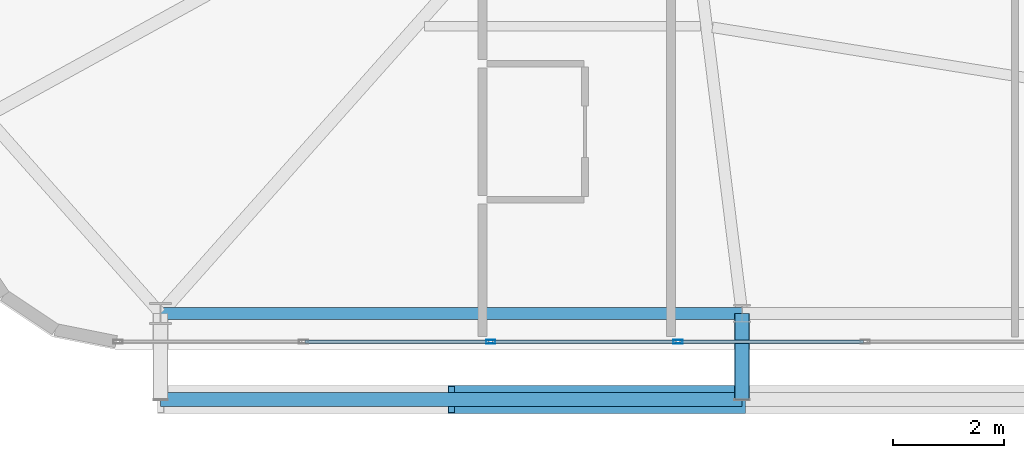
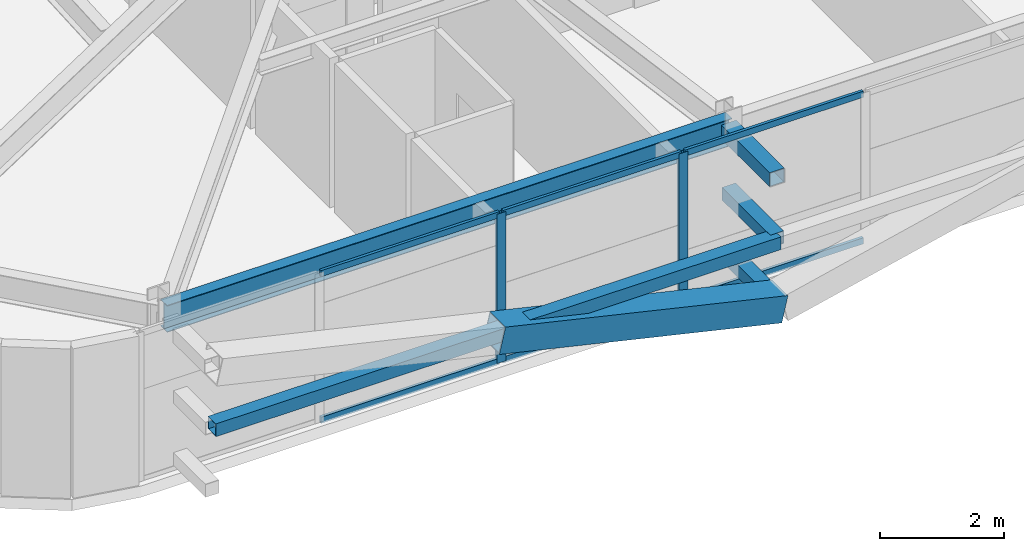
# One storey, part 6 of 58: 13 members, 1 beam, 1 element without a shape of its own.
"""IFC4 building model written with IfcOpenShell, lengths in metres."""

import ifcopenshell
import ifcopenshell.guid

model = None  # the IFC model being written
_history = None  # IfcOwnerHistory: only IFC2X3 demands one
_inside = {}  # id of a spatial element -> (the spatial element, [elements in it])
_under = {}  # id of a project, library or spatial element -> (it, [spatial elements below it])
_declared = {}  # id of a project -> (the project, [libraries it declares])
_typed = {}  # id of a type object -> (the type object, [elements of that type])
_made_of = {}  # id of a material, layer set ... -> (it, [elements and type objects made of it])


def new_model(schema):
    """Start an empty IFC model of exactly this schema.

    Asked for "IFC4X3", IfcOpenShell would pick the latest addendum, in which some entities
    have other attributes; the version numbers below select the first issue.
    IFC2X3 requires an IfcOwnerHistory on every rooted entity: one is made here for all.
    """
    global model, _history
    if schema == "IFC4X3":
        model = ifcopenshell.file(schema_version=(4, 3, 0, 0))
    else:
        model = ifcopenshell.file(schema=schema)
    _inside.clear()
    _under.clear()
    _declared.clear()
    _typed.clear()
    _made_of.clear()
    _history = None
    if model.schema == "IFC2X3":
        org = make("IfcOrganization", Name="unknown")
        user = make(
            "IfcPersonAndOrganization",
            ThePerson=make("IfcPerson", FamilyName="unknown"),
            TheOrganization=org,
        )
        app = make(
            "IfcApplication",
            ApplicationDeveloper=org,
            Version="unknown",
            ApplicationFullName="unknown",
            ApplicationIdentifier="unknown",
        )
        _history = make(
            "IfcOwnerHistory",
            OwningUser=user,
            OwningApplication=app,
            ChangeAction="ADDED",
            CreationDate=0,
        )
    return model


def make(cls, **values):
    """One entity of the class cls with the attributes given. An attribute that is None is left unset."""
    return model.create_entity(
        cls, **{name: value for name, value in values.items() if value is not None}
    )


def rooted(cls, **values):
    """An entity with a GlobalId (a new one), such as an element, a storey or a relation."""
    return make(cls, GlobalId=ifcopenshell.guid.new(), OwnerHistory=_history, **values)


def si_unit(unit_type, name, prefix=None):
    """IfcSIUnit, for example si_unit("LENGTHUNIT", "METRE", prefix="MILLI")."""
    return make("IfcSIUnit", UnitType=unit_type, Prefix=prefix, Name=name)


def assignment(units):
    """IfcUnitAssignment: the units of a project."""
    return None if units is None else make("IfcUnitAssignment", Units=units)


def point(xyz):
    """IfcCartesianPoint."""
    return None if xyz is None else make("IfcCartesianPoint", Coordinates=xyz)


def direction(xyz):
    """IfcDirection."""
    return None if xyz is None else make("IfcDirection", DirectionRatios=xyz)


def frame(location, z_axis=None, x_axis=None):
    """IfcAxis2Placement3D, a coordinate frame: its origin and axes. An axis left out is left unset."""
    return make(
        "IfcAxis2Placement3D",
        Location=point(location),
        Axis=direction(z_axis),
        RefDirection=direction(x_axis),
    )


def frame_2d(location, x_axis=None):
    """IfcAxis2Placement2D, a coordinate frame in the plane: its origin and x axis."""
    return make(
        "IfcAxis2Placement2D", Location=point(location), RefDirection=direction(x_axis)
    )


def origin():
    """The frame at (0, 0, 0) with its axes left unset."""
    return frame((0.0, 0.0, 0.0))


def origin_2d():
    """The frame at (0, 0) in the plane with its x axis left unset."""
    return frame_2d((0.0, 0.0))


def place(relative_to, where):
    """IfcLocalPlacement: puts the frame where relative to a parent placement (None: the world)."""
    return make(
        "IfcLocalPlacement", PlacementRelTo=relative_to, RelativePlacement=where
    )


def context(
    kind, dimensions, precision=None, world=None, true_north=None, identifier=None
):
    """IfcGeometricRepresentationContext, for example the 3D "Model" context."""
    return make(
        "IfcGeometricRepresentationContext",
        ContextIdentifier=identifier,
        ContextType=kind,
        CoordinateSpaceDimension=dimensions,
        Precision=precision,
        WorldCoordinateSystem=world,
        TrueNorth=true_north,
    )


def subcontext(parent, identifier, kind, view, scale=None):
    """IfcGeometricRepresentationSubContext, for example "Body" below "Model"."""
    return make(
        "IfcGeometricRepresentationSubContext",
        ContextIdentifier=identifier,
        ContextType=kind,
        ParentContext=parent,
        TargetScale=scale,
        TargetView=view,
    )


def project(units=None, contexts=None):
    """IfcProject with its units and contexts."""
    return rooted(
        "IfcProject",
        Name="project",
        RepresentationContexts=contexts,
        UnitsInContext=assignment(units),
    )


def spatial(cls, under=None, at=None, **own):
    """A site, building, storey or space (cls), placed at a placement, below another one or the project."""
    s = rooted(cls, ObjectPlacement=at, **own)
    if under is not None:
        _under.setdefault(under.id(), (under, []))[1].append(s)
    return s


def profile(cls, at=None, kind="AREA", **sizes):
    """A parametric profile (cls). Its sizes go by their IFC names, for example OverallWidth=200.0."""
    return make(cls, ProfileType=kind, Position=at, **sizes)


def hollow_rectangle(**sizes):
    """IfcRectangleHollowProfileDef."""
    return profile("IfcRectangleHollowProfileDef", **sizes)


def i_section(**sizes):
    """IfcIShapeProfileDef."""
    return profile("IfcIShapeProfileDef", **sizes)


def extrude(swept, where, along, depth):
    """IfcExtrudedAreaSolid: the profile swept, set in the frame where, extruded along a direction by depth."""
    return make(
        "IfcExtrudedAreaSolid",
        SweptArea=swept,
        Position=where,
        ExtrudedDirection=direction(along),
        Depth=depth,
    )


def shape(context_of_items, identifier, shape_type, items):
    """IfcShapeRepresentation: the items that make up one representation, for example the "Body"."""
    return make(
        "IfcShapeRepresentation",
        ContextOfItems=context_of_items,
        RepresentationIdentifier=identifier,
        RepresentationType=shape_type,
        Items=items,
    )


def source(mapping_origin, context_of_items, identifier, shape_type, items):
    """IfcRepresentationMap: a shape defined once, which mapped items show again and again."""
    return make(
        "IfcRepresentationMap",
        MappingOrigin=mapping_origin,
        MappedRepresentation=shape(context_of_items, identifier, shape_type, items),
    )


def transform(
    local_origin,
    x_axis=None,
    y_axis=None,
    z_axis=None,
    scale=None,
    scale2=None,
    scale3=None,
    uniform=True,
):
    """IfcCartesianTransformationOperator3D, or its non-uniform kind. x_axis, y_axis, z_axis: its Axis1, 2, 3."""
    if uniform:
        return make(
            "IfcCartesianTransformationOperator3D",
            Axis1=direction(x_axis),
            Axis2=direction(y_axis),
            LocalOrigin=point(local_origin),
            Scale=scale,
            Axis3=direction(z_axis),
        )
    return make(
        "IfcCartesianTransformationOperator3DnonUniform",
        Axis1=direction(x_axis),
        Axis2=direction(y_axis),
        LocalOrigin=point(local_origin),
        Scale=scale,
        Axis3=direction(z_axis),
        Scale2=scale2,
        Scale3=scale3,
    )


def mapped(mapping_source, mapping_target):
    """IfcMappedItem: shows the shape of a source again, moved by a transform."""
    return make(
        "IfcMappedItem", MappingSource=mapping_source, MappingTarget=mapping_target
    )


def material(Name=None, Category=None):
    """IfcMaterial."""
    return make("IfcMaterial", Name=Name, Category=Category)


def layer(
    of_material, thickness, ventilated=None, Name=None, Category=None, Priority=None
):
    """IfcMaterialLayer: one layer of a wall or slab, of a material (None: an air gap)."""
    return make(
        "IfcMaterialLayer",
        Material=of_material,
        LayerThickness=thickness,
        IsVentilated=ventilated,
        Name=Name,
        Category=Category,
        Priority=Priority,
    )


def layer_set(layers, Name=None):
    """IfcMaterialLayerSet."""
    return make("IfcMaterialLayerSet", MaterialLayers=layers, LayerSetName=Name)


def material_profile(
    of_material, cross_section, Name=None, Category=None, Priority=None
):
    """IfcMaterialProfile: a cross section and its material."""
    return make(
        "IfcMaterialProfile",
        Name=Name,
        Material=of_material,
        Profile=cross_section,
        Priority=Priority,
        Category=Category,
    )


def profile_set(profiles, Name=None, composite=None):
    """IfcMaterialProfileSet."""
    return make(
        "IfcMaterialProfileSet",
        Name=Name,
        MaterialProfiles=profiles,
        CompositeProfile=composite,
    )


def made_of(thing, what):
    """Note that an element or type object is made of a material, layer set ...; save() writes the relation."""
    if what is not None:
        _made_of.setdefault(what.id(), (what, []))[1].append(thing)
    return thing


def type_object(cls, material=None, **own):
    """A type object (cls), such as IfcWallType, which elements share."""
    return made_of(rooted(cls, **own), material)


def element(
    cls,
    number,
    at=None,
    inside=None,
    cuts=None,
    type_object=None,
    material=None,
    context=None,
    identifier="Body",
    shape_type=None,
    held_by="IfcProductDefinitionShape",
    body=None,
    shapes=None,
    **own,
):
    """One element of the class cls, such as IfcWall. Its Tag is "e" and its number.

    at: its placement. inside: the storey or other place that contains it. cuts: it is an
    opening in that element (IfcRelVoidsElement). A single representation is given by context,
    identifier, shape_type and body (its items); several are given by shapes. held_by: the class
    of the entity that holds the representations. save() writes the other relations.
    """
    e = rooted(cls, Tag="e%d" % number, ObjectPlacement=at, **own)
    if body is not None:
        shapes = [shape(context, identifier, shape_type, body)]
    if shapes is not None:
        e.Representation = make(held_by, Representations=shapes)
    if inside is not None:
        _inside.setdefault(inside.id(), (inside, []))[1].append(e)
    if cuts is not None:
        rooted(
            "IfcRelVoidsElement", RelatingBuildingElement=cuts, RelatedOpeningElement=e
        )
    if type_object is not None:
        _typed.setdefault(type_object.id(), (type_object, []))[1].append(e)
    return made_of(e, material)


def aggregate(whole, parts):
    """IfcRelAggregates: a whole, such as a stair, and the parts it consists of."""
    return rooted("IfcRelAggregates", RelatingObject=whole, RelatedObjects=parts)


def save(model, path):
    """Write the relations noted so far, then the file.

    IfcRelAggregates (storeys below a building ...), IfcRelContainedInSpatialStructure (elements
    in a storey), IfcRelDefinesByType, IfcRelAssociatesMaterial and IfcRelDeclares: one each for
    every whole, place, type object, material and project.
    """
    for whole, parts in _under.values():
        aggregate(whole, parts)
    for where, things in _inside.values():
        rooted(
            "IfcRelContainedInSpatialStructure",
            RelatedElements=things,
            RelatingStructure=where,
        )
    for kind, things in _typed.values():
        rooted("IfcRelDefinesByType", RelatedObjects=things, RelatingType=kind)
    for what, things in _made_of.values():
        rooted("IfcRelAssociatesMaterial", RelatedObjects=things, RelatingMaterial=what)
    for by, libraries in _declared.values():
        rooted("IfcRelDeclares", RelatingContext=by, RelatedDefinitions=libraries)
    model.write(path)


model = new_model("IFC4")

# Units and contexts
model_context = context("Model", 3, precision=1e-05, world=origin(), true_north=direction((0.0, 1.0)))
body_context = subcontext(model_context, "Body", "Model", "MODEL_VIEW")
ifc_project = project(units=[si_unit("LENGTHUNIT", "METRE"), si_unit("AREAUNIT", "SQUARE_METRE"), si_unit("VOLUMEUNIT", "CUBIC_METRE"), si_unit("PLANEANGLEUNIT", "RADIAN"), si_unit("MASSUNIT", "GRAM", prefix="KILO")], contexts=[model_context])

# Site, building, storey
site_placement = place(None, origin())
site = spatial("IfcSite", under=ifc_project, at=site_placement, CompositionType="ELEMENT")
building_placement = place(site_placement, origin())
building = spatial("IfcBuilding", under=site, at=building_placement, Name="Taldren Reach Tower", CompositionType="ELEMENT")
storey_placement = place(building_placement, frame((0.0, 0.0, 51.449951171875)))
storey = spatial("IfcBuildingStorey", under=building, at=storey_placement, Name="L15", CompositionType="ELEMENT", Elevation=51.449951171875)

# Beam
ifc_material_1 = material(Name="Steel Gr 350 (350PLUS)", Category="steel")
ifc_material_profile_1 = material_profile(ifc_material_1, i_section(OverallWidth=0.208984375, OverallDepth=0.528076171875, WebThickness=0.009521484375, FlangeThickness=0.01318359375, at=origin_2d()), Name="530UB82.0")
ifc_profile_set_1 = profile_set([ifc_material_profile_1], Name="Steel Gr 350 (350PLUS)")
beam_type = type_object("IfcBeamType", Name="SP-UB530B", PredefinedType="SPANDREL", material=ifc_profile_set_1)
shared_shape_1 = source(origin(), body_context, "Body", "SweptSolid", [
    extrude(i_section(OverallWidth=0.208984375, OverallDepth=0.528076171875, WebThickness=0.009521484375, FlangeThickness=0.01318359375, at=origin_2d()), origin(), (0.0, 0.0, 1.0), 10.47998046875),
])
beam_placement = place(storey_placement, frame((8.800048828125, 2.14990234375, 2.666015625), z_axis=(1.0, 0.0, 0.0), x_axis=(0.0, 1.0, 0.0)))
element("IfcBeam", 1, at=beam_placement, inside=storey, type_object=beam_type, Name="Perimeter spandrel B1 S1-S2 L15", PredefinedType="SPANDREL", context=body_context, shape_type="MappedRepresentation", body=[
    mapped(shared_shape_1, transform((0.0, 0.0, 0.0), scale=1.0)),
])

# Members
ifc_material_2 = material(Name="Steel Gr 450 (C450L0)", Category="steel")
ifc_material_profile_2 = material_profile(ifc_material_2, hollow_rectangle(XDim=0.27490234375, YDim=0.27490234375, WallThickness=0.00927734375, at=origin_2d()), Name="275x275x9.3SHS")
ifc_profile_set_2 = profile_set([ifc_material_profile_2], Name="Steel Gr 450 (C450L0)")
member_type_1 = type_object("IfcMemberType", Name="MB-TIE273", PredefinedType="STRUT", material=ifc_profile_set_2)
shared_shape_2 = source(origin(), body_context, "Body", "SweptSolid", [
    extrude(hollow_rectangle(XDim=0.27490234375, YDim=0.27490234375, WallThickness=0.00927734375, at=origin_2d()), origin(), (0.0, 0.0, 1.0), 1.5498046875),
])
member_1_placement = place(storey_placement, frame((19.280029296875, 2.14990234375, 2.650146484375), z_axis=(0.0, -1.0, 0.0), x_axis=(1.0, 0.0, 0.0)))
element("IfcMember", 2, at=member_1_placement, inside=storey, type_object=member_type_1, Name="Exoskeleton diaphragm tie strut B1-S2 L15", PredefinedType="STRUT", context=body_context, shape_type="MappedRepresentation", body=[
    mapped(shared_shape_2, transform((0.0, 0.0, 0.0), scale=1.0)),
])
ifc_material_profile_3 = material_profile(ifc_material_2, hollow_rectangle(XDim=0.510009765625, YDim=0.510009765625, WallThickness=0.02001953125, at=origin_2d()), Name="510x510x20.0SHS")
ifc_profile_set_3 = profile_set([ifc_material_profile_3], Name="Steel Gr 450 (C450L0)")
member_type_2 = type_object("IfcMemberType", Name="MB-EXO508", PredefinedType="BRACE", material=ifc_profile_set_3)
shared_shape_3 = source(origin(), body_context, "Body", "SweptSolid", [
    extrude(hollow_rectangle(XDim=0.510009765625, YDim=0.510009765625, WallThickness=0.02001953125, at=origin_2d()), origin(), (0.0, 0.0, 1.0), 5.37890625),
])
member_2_placement = place(storey_placement, frame((19.280029296875, 0.60009765625, 0.219970703125), z_axis=(-0.97415197996, 0.0, 0.225893603143), x_axis=(0.0, -1.0, 0.0)))
element("IfcMember", 3, at=member_2_placement, inside=storey, type_object=member_type_2, Name="Exoskeleton Diagrid Brace B1-S1 L15", PredefinedType="BRACE", context=body_context, shape_type="MappedRepresentation", body=[
    mapped(shared_shape_3, transform((0.0, 0.0, 0.0), scale=1.0)),
])
ifc_material_3 = material(Name="Steel Gr 350 (C350L0)", Category="steel")
ifc_material_profile_4 = material_profile(ifc_material_3, hollow_rectangle(XDim=0.25, YDim=0.25, WallThickness=0.010009765625, at=origin_2d()), Name="250x250x10.0SHS")
ifc_profile_set_4 = profile_set([ifc_material_profile_4], Name="Steel Gr 350 (C350L0)")
member_type_3 = type_object("IfcMemberType", Name="MB-POST250", PredefinedType="POST", material=ifc_profile_set_4)
shared_shape_4 = source(origin(), body_context, "Body", "SweptSolid", [
    extrude(hollow_rectangle(XDim=0.25, YDim=0.25, WallThickness=0.010009765625, at=origin_2d()), origin(), (0.0, 0.0, 1.0), 10.47998046875),
])
member_3_placement = place(storey_placement, frame((8.800048828125, 0.60009765625, 1.43505859375), z_axis=(1.0, 0.0, 0.0), x_axis=(0.0, 1.0, 0.0)))
element("IfcMember", 4, at=member_3_placement, inside=storey, type_object=member_type_3, Name="Exoskeleton mid-height ring chord B1-S1 L15", PredefinedType="POST", context=body_context, shape_type="MappedRepresentation", body=[
    mapped(shared_shape_4, transform((0.0, 0.0, 0.0), scale=1.0)),
])
shared_shape_5 = source(origin(), body_context, "Body", "SweptSolid", [
    extrude(hollow_rectangle(XDim=0.25, YDim=0.25, WallThickness=0.010009765625, at=origin_2d()), origin(), (0.0, 0.0, 1.0), 1.5498046875),
])
for number, where, z_axis, x_axis, name in (
    (5, (19.280029296875, 2.14990234375, 0.219970703125), (0.0, -1.0, 0.0), (1.0, 0.0, 0.0), "Exoskeleton base diaphragm tie strut B1-S2 L15"),
    (6, (19.280029296875, 2.14990234375, 1.43505859375), (0.0, -1.0, 0.0), (1.0, 0.0, 0.0), "Exoskeleton mid-tier diaphragm tie B1-S2 L15"),
):
    element("IfcMember", number, at=place(storey_placement, frame(where, z_axis=z_axis, x_axis=x_axis)), inside=storey, type_object=member_type_3, Name=name, PredefinedType="POST", context=body_context, shape_type="MappedRepresentation", body=[
        mapped(shared_shape_5, transform((0.0, 0.0, 0.0), scale=1.0)),
    ])

# Curtain wall, members
ifc_material_4 = material(Name="Aluminium and Low-E Glass Unitised System", Category="aluminium")
ifc_layer = layer(ifc_material_4, 0.159912109375)
ifc_layer_set = layer_set([ifc_layer], Name="Aluminium and Low-E Glass Unitised System")
curtain_wall_type = type_object("IfcCurtainWallType", Name="CW-SYS-2", PredefinedType="NOTDEFINED", material=ifc_layer_set)
curtain_wall_placement = place(storey_placement, origin())
curtain_wall = element("IfcCurtainWall", 7, at=curtain_wall_placement, inside=storey, type_object=curtain_wall_type, Name="Unitised curtain wall CW-L15-S", PredefinedType="NOTDEFINED")
ifc_material_5 = material(Name="Anodised Aluminium 6063-T6", Category="aluminium")
ifc_material_profile_5 = material_profile(ifc_material_5, hollow_rectangle(XDim=0.06494140625, YDim=0.1650390625, WallThickness=0.00390625, at=origin_2d()), Name="ALU-165x65x4RHS")
ifc_profile_set_5 = profile_set([ifc_material_profile_5], Name="Anodised Aluminium 6063-T6")
member_type_4 = type_object("IfcMemberType", Name="CW-MUL-165", PredefinedType="MULLION", material=ifc_profile_set_5)
shared_shape_6 = source(origin(), body_context, "Body", "SweptSolid", [
    extrude(hollow_rectangle(XDim=0.06494140625, YDim=0.1650390625, WallThickness=0.00390625, at=origin_2d()), origin(), (0.0, 0.0, 1.0), 2.929931640625),
])
member_4_placement = place(storey_placement, frame((14.75, 1.639892578125, 0.0), z_axis=(0.0, 0.0, 1.0), x_axis=(0.0, 1.0, 0.0)))
member_4 = element("IfcMember", 8, at=member_4_placement, type_object=member_type_4, Name="CW-2 mullion 3", PredefinedType="MULLION", context=body_context, shape_type="MappedRepresentation", body=[
    mapped(shared_shape_6, transform((0.0, 0.0, 0.0), scale=1.0)),
])
member_5_placement = place(storey_placement, frame((18.125, 1.639892578125, 0.0), z_axis=(0.0, 0.0, 1.0), x_axis=(0.0, 1.0, 0.0)))
member_5 = element("IfcMember", 9, at=member_5_placement, type_object=member_type_4, Name="CW-2 mullion 4", PredefinedType="MULLION", context=body_context, shape_type="MappedRepresentation", body=[
    mapped(shared_shape_6, transform((0.0, 0.0, 0.0), scale=1.0)),
])
ifc_material_profile_6 = material_profile(ifc_material_5, hollow_rectangle(XDim=0.054931640625, YDim=0.1201171875, WallThickness=0.0029296875, at=origin_2d()), Name="ALU-120x55x3RHS")
ifc_profile_set_6 = profile_set([ifc_material_profile_6], Name="Anodised Aluminium 6063-T6")
member_type_5 = type_object("IfcMemberType", Name="CW-TRN-135", PredefinedType="USERDEFINED", material=ifc_profile_set_6)
shared_shape_7 = source(origin(), body_context, "Body", "SweptSolid", [
    extrude(hollow_rectangle(XDim=0.054931640625, YDim=0.1201171875, WallThickness=0.0029296875, at=origin_2d()), origin(), (0.0, 0.0, 1.0), 3.31005859375),
])
member_6_placement = place(storey_placement, frame((11.407470703125, 1.639892578125, 0.027587890625), z_axis=(1.0, 0.0, 0.0), x_axis=(0.0, 1.0, 0.0)))
member_6 = element("IfcMember", 10, at=member_6_placement, type_object=member_type_5, Name="CW-2 transom 2.1", ObjectType="TRANSOM", PredefinedType="USERDEFINED", context=body_context, shape_type="MappedRepresentation", body=[
    mapped(shared_shape_7, transform((0.0, 0.0, 0.0), scale=1.0)),
])
member_7_placement = place(storey_placement, frame((11.407470703125, 1.639892578125, 2.902587890625), z_axis=(1.0, 0.0, 0.0), x_axis=(0.0, 1.0, 0.0)))
member_7 = element("IfcMember", 11, at=member_7_placement, type_object=member_type_5, Name="CW-2 transom 2.2", ObjectType="TRANSOM", PredefinedType="USERDEFINED", context=body_context, shape_type="MappedRepresentation", body=[
    mapped(shared_shape_7, transform((0.0, 0.0, 0.0), scale=1.0)),
])
member_8_placement = place(storey_placement, frame((14.782470703125, 1.639892578125, 0.027587890625), z_axis=(1.0, 0.0, 0.0), x_axis=(0.0, 1.0, 0.0)))
member_8 = element("IfcMember", 12, at=member_8_placement, type_object=member_type_5, Name="CW-2 transom 3.1", ObjectType="TRANSOM", PredefinedType="USERDEFINED", context=body_context, shape_type="MappedRepresentation", body=[
    mapped(shared_shape_7, transform((0.0, 0.0, 0.0), scale=1.0)),
])
member_9_placement = place(storey_placement, frame((14.782470703125, 1.639892578125, 2.902587890625), z_axis=(1.0, 0.0, 0.0), x_axis=(0.0, 1.0, 0.0)))
member_9 = element("IfcMember", 13, at=member_9_placement, type_object=member_type_5, Name="CW-2 transom 3.2", ObjectType="TRANSOM", PredefinedType="USERDEFINED", context=body_context, shape_type="MappedRepresentation", body=[
    mapped(shared_shape_7, transform((0.0, 0.0, 0.0), scale=1.0)),
])
member_10_placement = place(storey_placement, frame((18.157470703125, 1.639892578125, 0.027587890625), z_axis=(1.0, 0.0, 0.0), x_axis=(0.0, 1.0, 0.0)))
member_10 = element("IfcMember", 14, at=member_10_placement, type_object=member_type_5, Name="CW-2 transom 4.1", ObjectType="TRANSOM", PredefinedType="USERDEFINED", context=body_context, shape_type="MappedRepresentation", body=[
    mapped(shared_shape_7, transform((0.0, 0.0, 0.0), scale=1.0)),
])
member_11_placement = place(storey_placement, frame((18.157470703125, 1.639892578125, 2.902587890625), z_axis=(1.0, 0.0, 0.0), x_axis=(0.0, 1.0, 0.0)))
member_11 = element("IfcMember", 15, at=member_11_placement, type_object=member_type_5, Name="CW-2 transom 4.2", ObjectType="TRANSOM", PredefinedType="USERDEFINED", context=body_context, shape_type="MappedRepresentation", body=[
    mapped(shared_shape_7, transform((0.0, 0.0, 0.0), scale=1.0)),
])
aggregate(curtain_wall, [member_4, member_5, member_6, member_7, member_8, member_9, member_10, member_11])

save(model, "model.ifc")
